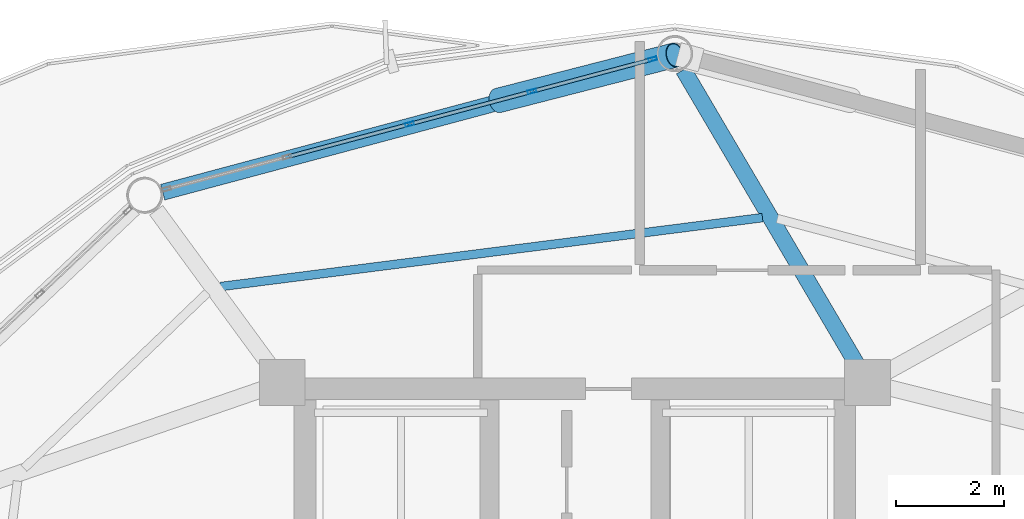
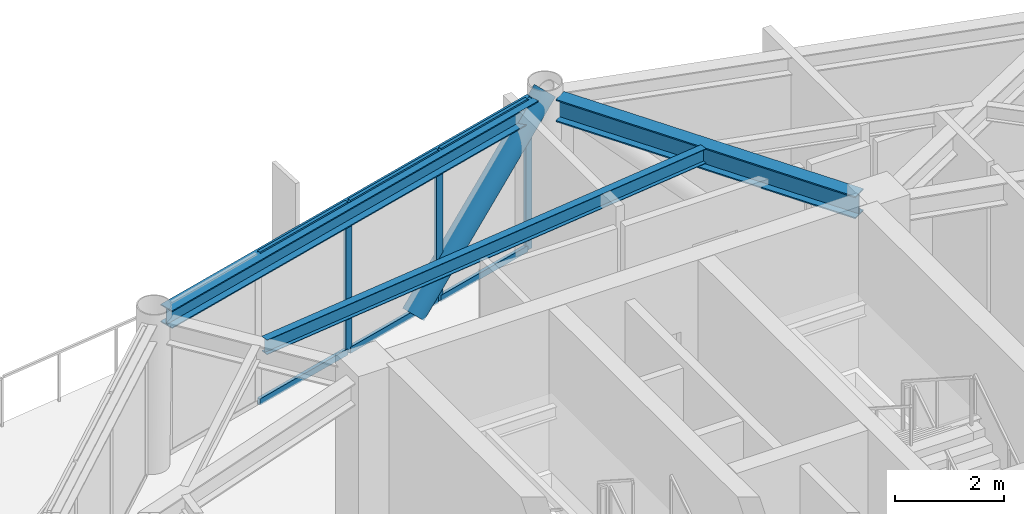
# One storey, part 17 of 25: 10 members, 3 beams, 1 element without a shape of its own.
"""IFC4 building model written with IfcOpenShell, lengths in metres."""

from ifc_helpers import new_model, si_unit, direction, frame, origin, origin_2d, place, context, subcontext, project, spatial, hollow_rectangle, hollow_circle, i_section, extrude, material, layer, layer_set, material_profile, profile_set, type_object, element, aggregate, save


model = new_model("IFC4")

# Units and contexts
model_context = context("Model", 3, precision=1e-05, world=origin(), true_north=direction((0.0, 1.0)))
body_context = subcontext(model_context, "Body", "Model", "MODEL_VIEW")
ifc_project = project(units=[si_unit("LENGTHUNIT", "METRE"), si_unit("AREAUNIT", "SQUARE_METRE"), si_unit("VOLUMEUNIT", "CUBIC_METRE"), si_unit("PLANEANGLEUNIT", "RADIAN"), si_unit("MASSUNIT", "GRAM", prefix="KILO")], contexts=[model_context])

# Site, building, storey
site_placement = place(None, origin())
site = spatial("IfcSite", under=ifc_project, at=site_placement, CompositionType="ELEMENT")
building_placement = place(site_placement, origin())
building = spatial("IfcBuilding", under=site, at=building_placement, Name="Varnakorn Sky Granary", CompositionType="ELEMENT")
storey_placement = place(building_placement, frame((0.0, 0.0, 178.800048828125)))
storey = spatial("IfcBuildingStorey", under=building, at=storey_placement, Name="L44", CompositionType="ELEMENT", Elevation=178.800048828125)

# Beams
ifc_material_1 = material(Name="Steel S355JR", Category="steel")
ifc_material_profile_1 = material_profile(ifc_material_1, i_section(OverallWidth=0.300048828125, OverallDepth=0.5, WebThickness=0.014404296875, FlangeThickness=0.028076171875, at=origin_2d()), Name="HE 500 B")
ifc_profile_set_1 = profile_set([ifc_material_profile_1], Name="Steel S355JR")
beam_type_1 = type_object("IfcBeamType", Name="BM-RAD-Z4", PredefinedType="BEAM", material=ifc_profile_set_1)
beam_1_placement = place(storey_placement, frame((8.214599609375, 12.968994140625, 3.10986328125), z_axis=(-0.507474520997, 0.861666763046, 0.0), x_axis=(-0.861666763046, -0.507474520997, 0.0)))
element("IfcBeam", 1, at=beam_1_placement, inside=storey, type_object=beam_type_1, Name="Radial Floor Girder RG04 L44", PredefinedType="BEAM", context=body_context, shape_type="SweptSolid", body=[
    extrude(i_section(OverallWidth=0.300048828125, OverallDepth=0.5, WebThickness=0.014404296875, FlangeThickness=0.028076171875, at=origin_2d()), origin(), (0.0, 0.0, 1.0), 6.315185546875),
])
ifc_material_profile_2 = material_profile(ifc_material_1, i_section(OverallWidth=0.159912109375, OverallDepth=0.330078125, WebThickness=0.007568359375, FlangeThickness=0.011474609375, at=origin_2d()), Name="IPE 330")
ifc_profile_set_2 = profile_set([ifc_material_profile_2], Name="Steel S355JR")
beam_type_2 = type_object("IfcBeamType", Name="BM-SEC-Z4", PredefinedType="BEAM", material=ifc_profile_set_2)
beam_2_placement = place(storey_placement, frame((6.473388671875, 15.672119140625, 3.195068359375), z_axis=(-0.992008399019, -0.126171852151, 0.0), x_axis=(0.126171852151, -0.992008399019, 0.0)))
element("IfcBeam", 2, at=beam_2_placement, inside=storey, type_object=beam_type_2, Name="Secondary Floor Chord Beam MSB04 L44", PredefinedType="BEAM", context=body_context, shape_type="SweptSolid", body=[
    extrude(i_section(OverallWidth=0.159912109375, OverallDepth=0.330078125, WebThickness=0.007568359375, FlangeThickness=0.011474609375, at=origin_2d()), origin(), (0.0, 0.0, 1.0), 10.121826171875),
])
ifc_material_profile_3 = material_profile(ifc_material_1, i_section(OverallWidth=0.300048828125, OverallDepth=0.39990234375, WebThickness=0.013427734375, FlangeThickness=0.02392578125, at=origin_2d()), Name="HE 400 B")
ifc_profile_set_3 = profile_set([ifc_material_profile_3], Name="Steel S355JR")
beam_type_3 = type_object("IfcBeamType", Name="BM-SPD-Z4", PredefinedType="SPANDREL", material=ifc_profile_set_3)
beam_3_placement = place(storey_placement, frame((4.545654296875, 18.6005859375, 3.159912109375), z_axis=(-0.966007752999, -0.258513096662, 0.0), x_axis=(0.258513096662, -0.966007752999, 0.0)))
element("IfcBeam", 3, at=beam_3_placement, inside=storey, type_object=beam_type_3, Name="Perimeter Spandrel Ring Beam RB04 L44", PredefinedType="SPANDREL", context=body_context, shape_type="SweptSolid", body=[
    extrude(i_section(OverallWidth=0.300048828125, OverallDepth=0.39990234375, WebThickness=0.013427734375, FlangeThickness=0.02392578125, at=origin_2d()), origin(), (0.0, 0.0, 1.0), 9.50439453125),
])

# Curtain wall, members
ifc_material_2 = material(Name="Anodised Bronze Aluminium Alloy 6063-T6", Category="aluminium")
ifc_layer = layer(ifc_material_2, 0.169921875, Name="Anodised Bronze Aluminium Alloy 6063-T6")
ifc_layer_set = layer_set([ifc_layer], Name="Anodised Bronze Aluminium Alloy 6063-T6")
curtain_wall_type = type_object("IfcCurtainWallType", Name="CW-LAB-1", PredefinedType="USERDEFINED", material=ifc_layer_set)
curtain_wall_placement = place(storey_placement, origin())
curtain_wall = element("IfcCurtainWall", 4, at=curtain_wall_placement, inside=storey, type_object=curtain_wall_type, Name="Unitised Curtain Wall CW5 CW-L44-B04", ObjectType="CURTAIN WALL", PredefinedType="USERDEFINED")
ifc_material_profile_4 = material_profile(ifc_material_2, hollow_rectangle(XDim=0.06494140625, YDim=0.159912109375, WallThickness=0.00341796875, at=origin_2d()), Name="ALU MULL 65x160")
ifc_profile_set_4 = profile_set([ifc_material_profile_4], Name="Anodised Bronze Aluminium Alloy 6063-T6")
member_type_1 = type_object("IfcMemberType", Name="CW-LAB-1-MULL", PredefinedType="MULLION", material=ifc_profile_set_4)
member_1_placement = place(storey_placement, frame((-0.061767578125, 17.40380859375, 0.0), z_axis=(0.0, 0.0, 1.0), x_axis=(-0.258096215547, 0.966119218068, 0.0)))
member_1 = element("IfcMember", 5, at=member_1_placement, type_object=member_type_1, Name="CW5 mullion 3", PredefinedType="MULLION", context=body_context, shape_type="SweptSolid", body=[
    extrude(hollow_rectangle(XDim=0.06494140625, YDim=0.159912109375, WallThickness=0.00341796875, at=origin_2d()), origin(), (0.0, 0.0, 1.0), 3.35986328125),
])
member_2_placement = place(storey_placement, frame((2.205810546875, 18.009521484375, 0.0), z_axis=(0.0, 0.0, 1.0), x_axis=(-0.258096215547, 0.966119218068, 0.0)))
member_2 = element("IfcMember", 6, at=member_2_placement, type_object=member_type_1, Name="CW5 mullion 4", PredefinedType="MULLION", context=body_context, shape_type="SweptSolid", body=[
    extrude(hollow_rectangle(XDim=0.06494140625, YDim=0.159912109375, WallThickness=0.00341796875, at=origin_2d()), origin(), (0.0, 0.0, 1.0), 3.35986328125),
])
member_3_placement = place(storey_placement, frame((4.44189453125, 18.60693359375, 0.0), z_axis=(0.0, 0.0, 1.0), x_axis=(-0.258096215547, 0.966119218068, 0.0)))
member_3 = element("IfcMember", 7, at=member_3_placement, type_object=member_type_1, Name="CW5 mullion 5", PredefinedType="MULLION", context=body_context, shape_type="SweptSolid", body=[
    extrude(hollow_rectangle(XDim=0.06494140625, YDim=0.159912109375, WallThickness=0.00341796875, at=origin_2d()), origin(), (0.0, 0.0, 1.0), 3.35986328125),
])
ifc_material_profile_5 = material_profile(ifc_material_2, hollow_rectangle(XDim=0.070068359375, YDim=0.139892578125, WallThickness=0.00341796875, at=origin_2d()), Name="ALU TRAN 70x140")
ifc_profile_set_5 = profile_set([ifc_material_profile_5], Name="Anodised Bronze Aluminium Alloy 6063-T6")
member_type_2 = type_object("IfcMemberType", Name="CW-LAB-1-TRAN", PredefinedType="USERDEFINED", material=ifc_profile_set_5)
member_4_placement = place(storey_placement, frame((-2.2978515625, 16.806396484375, 0.034912109375), z_axis=(0.966101630449, 0.258162041448, 0.0), x_axis=(-0.258162041448, 0.966101630449, 0.0)))
member_4 = element("IfcMember", 8, at=member_4_placement, type_object=member_type_2, Name="CW5 transom 2.1", ObjectType="TRANSOM", PredefinedType="USERDEFINED", context=body_context, shape_type="SweptSolid", body=[
    extrude(hollow_rectangle(XDim=0.070068359375, YDim=0.139892578125, WallThickness=0.00341796875, at=origin_2d()), origin(), (0.0, 0.0, 1.0), 2.281982421875),
])
member_5_placement = place(storey_placement, frame((-2.2978515625, 16.806396484375, 3.324951171875), z_axis=(0.966101630449, 0.258162041448, 0.0), x_axis=(-0.258162041448, 0.966101630449, 0.0)))
member_5 = element("IfcMember", 9, at=member_5_placement, type_object=member_type_2, Name="CW5 transom 2.2", ObjectType="TRANSOM", PredefinedType="USERDEFINED", context=body_context, shape_type="SweptSolid", body=[
    extrude(hollow_rectangle(XDim=0.070068359375, YDim=0.139892578125, WallThickness=0.00341796875, at=origin_2d()), origin(), (0.0, 0.0, 1.0), 2.281982421875),
])
member_6_placement = place(storey_placement, frame((-0.0302734375, 17.412109375, 0.034912109375), z_axis=(0.966101630449, 0.258162041448, 0.0), x_axis=(-0.258162041448, 0.966101630449, 0.0)))
member_6 = element("IfcMember", 10, at=member_6_placement, type_object=member_type_2, Name="CW5 transom 3.1", ObjectType="TRANSOM", PredefinedType="USERDEFINED", context=body_context, shape_type="SweptSolid", body=[
    extrude(hollow_rectangle(XDim=0.070068359375, YDim=0.139892578125, WallThickness=0.00341796875, at=origin_2d()), origin(), (0.0, 0.0, 1.0), 2.281982421875),
])
member_7_placement = place(storey_placement, frame((-0.0302734375, 17.412109375, 3.324951171875), z_axis=(0.966101630449, 0.258162041448, 0.0), x_axis=(-0.258162041448, 0.966101630449, 0.0)))
member_7 = element("IfcMember", 11, at=member_7_placement, type_object=member_type_2, Name="CW5 transom 3.2", ObjectType="TRANSOM", PredefinedType="USERDEFINED", context=body_context, shape_type="SweptSolid", body=[
    extrude(hollow_rectangle(XDim=0.070068359375, YDim=0.139892578125, WallThickness=0.00341796875, at=origin_2d()), origin(), (0.0, 0.0, 1.0), 2.281982421875),
])
member_8_placement = place(storey_placement, frame((2.237060546875, 18.017822265625, 0.034912109375), z_axis=(0.966096102824, 0.258182726199, 0.0), x_axis=(-0.258182726199, 0.966096102824, 0.0)))
member_8 = element("IfcMember", 12, at=member_8_placement, type_object=member_type_2, Name="CW5 transom 4.1", ObjectType="TRANSOM", PredefinedType="USERDEFINED", context=body_context, shape_type="SweptSolid", body=[
    extrude(hollow_rectangle(XDim=0.070068359375, YDim=0.139892578125, WallThickness=0.00341796875, at=origin_2d()), origin(), (0.0, 0.0, 1.0), 2.24951171875),
])
member_9_placement = place(storey_placement, frame((2.237060546875, 18.017822265625, 3.324951171875), z_axis=(0.966096102824, 0.258182726199, 0.0), x_axis=(-0.258182726199, 0.966096102824, 0.0)))
member_9 = element("IfcMember", 13, at=member_9_placement, type_object=member_type_2, Name="CW5 transom 4.2", ObjectType="TRANSOM", PredefinedType="USERDEFINED", context=body_context, shape_type="SweptSolid", body=[
    extrude(hollow_rectangle(XDim=0.070068359375, YDim=0.139892578125, WallThickness=0.00341796875, at=origin_2d()), origin(), (0.0, 0.0, 1.0), 2.24951171875),
])
aggregate(curtain_wall, [member_1, member_2, member_3, member_4, member_5, member_6, member_7, member_8, member_9])

# Member
ifc_material_3 = material(Name="Steel S460M", Category="steel")
ifc_material_profile_6 = material_profile(ifc_material_3, hollow_circle(Radius=0.228515625, WallThickness=0.01611328125, at=origin_2d()), Name="CHS 457x16")
ifc_profile_set_6 = profile_set([ifc_material_profile_6], Name="Steel S460M")
member_type_3 = type_object("IfcMemberType", Name="MB-DIAG-T3", PredefinedType="BRACE", material=ifc_profile_set_6)
member_10_placement = place(storey_placement, frame((1.575439453125, 17.84130859375, 0.0), z_axis=(0.687028654238, 0.176354257552, 0.704904819177), x_axis=(-0.248630739184, 0.968598345824, 0.0)))
element("IfcMember", 14, at=member_10_placement, inside=storey, type_object=member_type_3, Name="Perimeter CHS Diagrid Brace DG04 L44", PredefinedType="BRACE", context=body_context, shape_type="SweptSolid", body=[
    extrude(hollow_circle(Radius=0.228515625, WallThickness=0.01611328125, at=origin_2d()), origin(), (0.0, 0.0, 1.0), 4.766357421875),
])

save(model, "model.ifc")
